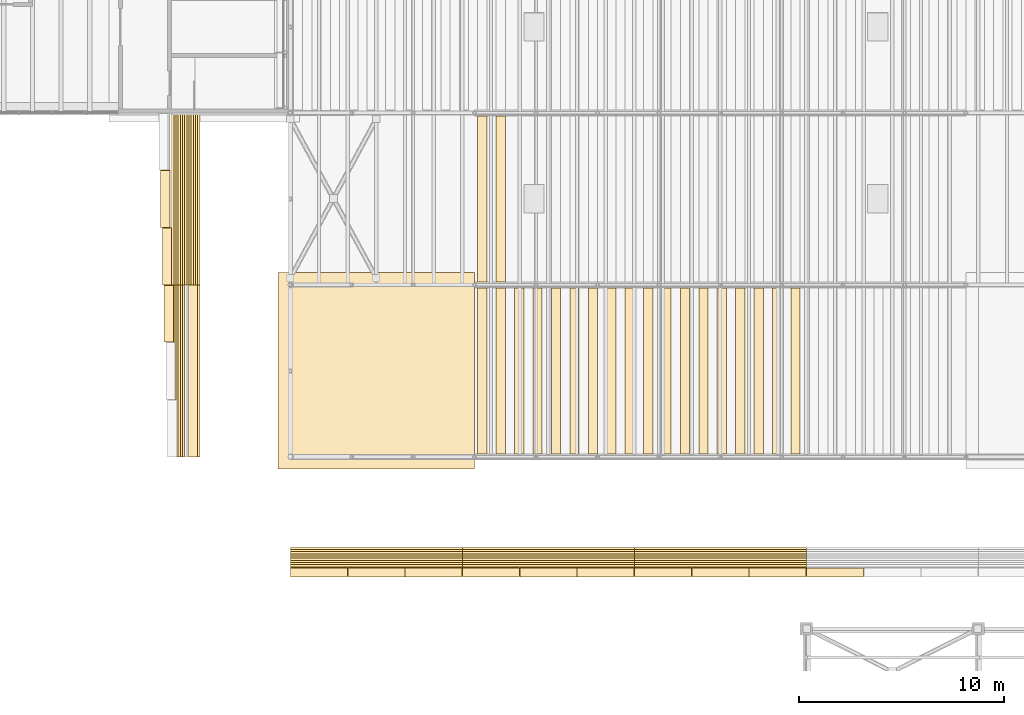
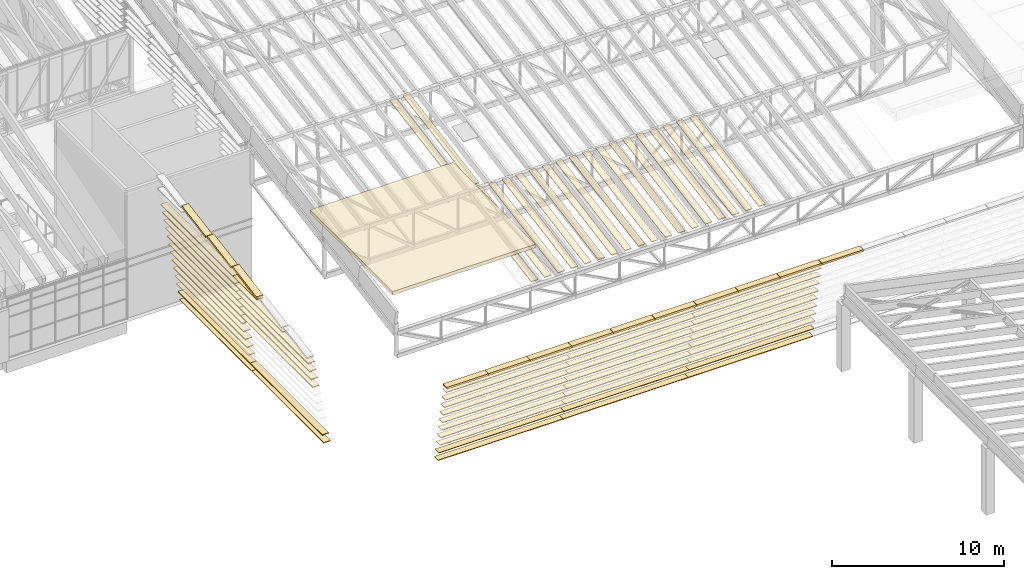
# One storey, part 75 of 91: 85 coverings.
"""IFC4 building model written with IfcOpenShell, lengths in metres."""

from ifc_helpers import new_model, si_unit, direction, frame, origin, origin_2d, place, context, subcontext, project, spatial, polyline, rectangle, outline, extrude, material, layer, layer_set, material_profile, profile_set, type_object, element, save


model = new_model("IFC4")

# Units and contexts
model_context = context("Model", 3, precision=1e-05, world=origin(), true_north=direction((0.0, 1.0)))
body_context = subcontext(model_context, "Body", "Model", "MODEL_VIEW")
ifc_project = project(units=[si_unit("LENGTHUNIT", "METRE"), si_unit("AREAUNIT", "SQUARE_METRE"), si_unit("VOLUMEUNIT", "CUBIC_METRE"), si_unit("PLANEANGLEUNIT", "RADIAN"), si_unit("MASSUNIT", "GRAM", prefix="KILO")], contexts=[model_context])

# Site, building, storey
site_placement = place(None, origin())
site = spatial("IfcSite", under=ifc_project, at=site_placement, CompositionType="ELEMENT")
building_placement = place(site_placement, origin())
building = spatial("IfcBuilding", under=site, at=building_placement, Name="Almond Square Museum", CompositionType="ELEMENT")
storey_placement = place(building_placement, frame((0.0, 0.0, 30.0)))
storey = spatial("IfcBuildingStorey", under=building, at=storey_placement, Name="L05", CompositionType="ELEMENT", Elevation=30.0)

# Coverings
ifc_material_1 = material(Name="Cedar timber roof board", Category="wood")
ifc_layer_1 = layer(ifc_material_1, 0.0400390625)
ifc_layer_set_1 = layer_set([ifc_layer_1], Name="Cedar timber roof board")
covering_type_1 = type_object("IfcCoveringType", Name="Hall roof board 450 x 40", PredefinedType="CLADDING", material=ifc_layer_set_1)
for number, where, z_axis, x_axis, name in (
    (1, (116.39990234375, 58.64990234375, 7.943603515625), (0.0, -0.17238105195, 0.985030341121), (-1.0, 0.0, 0.0), "Hall roof board"),
    (2, (117.300048828125, 58.64990234375, 7.943603515625), (0.0, -0.17238105195, 0.985030341121), (-1.0, 0.0, 0.0), "Hall roof board"),
):
    element("IfcCovering", number, at=place(storey_placement, frame(where, z_axis=z_axis, x_axis=x_axis)), inside=storey, type_object=covering_type_1, Name=name, PredefinedType="CLADDING", context=body_context, shape_type="SweptSolid", body=[
        extrude(outline(polyline([(0.0, 0.0), (0.449951171875, 0.0), (0.449951171875, 8.22294824584652), (0.0, 8.22294824584652), (0.0, 0.0)])), origin(), (0.0, 0.0, 1.0), 0.0400390625),
    ])
covering_1_placement = place(storey_placement, frame((118.199951171875, 58.64990234375, 7.943603515625), z_axis=(-0.000267236252, -0.172366641786, 0.985032826552), x_axis=(-0.999999964292, 4.6062617e-05, -0.000263236491)))
element("IfcCovering", 3, at=covering_1_placement, inside=storey, type_object=covering_type_1, Name="Hall roof board", PredefinedType="CLADDING", context=body_context, shape_type="SweptSolid", body=[
    extrude(outline(polyline([(0.0, 0.0), (0.44995115580832, -6.09797547574092e-21), (0.44995118794168065, 8.22294824496737), (-3.213336065825299e-08, 8.222906163266213), (0.0, 0.0)])), origin(), (0.0, 0.0, 1.0), 0.0400390625),
])
covering_2_placement = place(storey_placement, frame((119.10009765625, 58.64990234375, 7.943603515625), z_axis=(0.0, -0.172352243822, 0.985035382131), x_axis=(-1.0, 0.0, 0.0)))
element("IfcCovering", 4, at=covering_2_placement, inside=storey, type_object=covering_type_1, Name="Hall roof board", PredefinedType="CLADDING", context=body_context, shape_type="SweptSolid", body=[
    extrude(outline(polyline([(0.0, 0.0), (0.4501953125, 0.0), (0.4501953125, 8.22290616414537), (0.0, 8.22290616414537), (0.0, 0.0)])), origin(), (0.0, 0.0, 1.0), 0.0400390625),
])
for number, where, z_axis, x_axis, name in (
    (5, (120.0, 58.64990234375, 7.943603515625), (0.0, -0.172352243822, 0.985035382131), (-1.0, 0.0, 0.0), "Hall roof board"),
    (6, (120.89990234375, 58.64990234375, 7.943603515625), (0.0, -0.172352243822, 0.985035382131), (-1.0, 0.0, 0.0), "Hall roof board"),
    (7, (121.800048828125, 58.64990234375, 7.943603515625), (0.0, -0.172352243822, 0.985035382131), (-1.0, 0.0, 0.0), "Hall roof board"),
    (8, (122.699951171875, 58.64990234375, 7.943603515625), (0.0, -0.172352243822, 0.985035382131), (-1.0, 0.0, 0.0), "Hall roof board"),
):
    element("IfcCovering", number, at=place(storey_placement, frame(where, z_axis=z_axis, x_axis=x_axis)), inside=storey, type_object=covering_type_1, Name=name, PredefinedType="CLADDING", context=body_context, shape_type="SweptSolid", body=[
        extrude(outline(polyline([(0.0, 0.0), (0.449951171875, 0.0), (0.449951171875, 8.222906164145368), (0.0, 8.222906164145368), (0.0, 0.0)])), origin(), (0.0, 0.0, 1.0), 0.0400390625),
    ])
covering_3_placement = place(storey_placement, frame((123.60009765625, 58.64990234375, 7.943603515625), z_axis=(0.0, -0.172352243822, 0.985035382131), x_axis=(-1.0, 0.0, 0.0)))
element("IfcCovering", 9, at=covering_3_placement, inside=storey, type_object=covering_type_1, Name="Hall roof board", PredefinedType="CLADDING", context=body_context, shape_type="SweptSolid", body=[
    extrude(outline(polyline([(0.0, 0.0), (0.4501953125, 0.0), (0.4501953125, 8.22290616414537), (0.0, 8.22290616414537), (0.0, 0.0)])), origin(), (0.0, 0.0, 1.0), 0.0400390625),
])
for number, where, z_axis, x_axis, name in (
    (10, (124.5, 58.64990234375, 7.943603515625), (0.0, -0.172352243822, 0.985035382131), (-1.0, 0.0, 0.0), "Hall roof board"),
    (11, (125.39990234375, 58.64990234375, 7.943603515625), (0.0, -0.172352243822, 0.985035382131), (-1.0, 0.0, 0.0), "Hall roof board"),
    (12, (126.300048828125, 58.64990234375, 7.943603515625), (0.0, -0.172352243822, 0.985035382131), (-1.0, 0.0, 0.0), "Hall roof board"),
    (13, (127.199951171875, 58.64990234375, 7.943603515625), (0.0, -0.172352243822, 0.985035382131), (-1.0, 0.0, 0.0), "Hall roof board"),
):
    element("IfcCovering", number, at=place(storey_placement, frame(where, z_axis=z_axis, x_axis=x_axis)), inside=storey, type_object=covering_type_1, Name=name, PredefinedType="CLADDING", context=body_context, shape_type="SweptSolid", body=[
        extrude(outline(polyline([(0.0, 0.0), (0.449951171875, 0.0), (0.449951171875, 8.222906164145368), (0.0, 8.222906164145368), (0.0, 0.0)])), origin(), (0.0, 0.0, 1.0), 0.0400390625),
    ])
covering_4_placement = place(storey_placement, frame((128.10009765625, 58.64990234375, 7.943603515625), z_axis=(0.0, -0.172352243822, 0.985035382131), x_axis=(-1.0, 0.0, 0.0)))
element("IfcCovering", 14, at=covering_4_placement, inside=storey, type_object=covering_type_1, Name="Hall roof board", PredefinedType="CLADDING", context=body_context, shape_type="SweptSolid", body=[
    extrude(outline(polyline([(0.0, 0.0), (0.4501953125, 0.0), (0.4501953125, 8.22290616414537), (0.0, 8.22290616414537), (0.0, 0.0)])), origin(), (0.0, 0.0, 1.0), 0.0400390625),
])
for number, where, z_axis, x_axis, name in (
    (15, (129.0, 58.64990234375, 7.943603515625), (0.0, -0.172352243822, 0.985035382131), (-1.0, 0.0, 0.0), "Hall roof board"),
    (16, (129.89990234375, 58.64990234375, 7.943603515625), (0.0, -0.172352243822, 0.985035382131), (-1.0, 0.0, 0.0), "Hall roof board"),
    (17, (130.800048828125, 58.64990234375, 7.943603515625), (0.0, -0.172352243822, 0.985035382131), (-1.0, 0.0, 0.0), "Hall roof board"),
    (18, (131.699951171875, 58.64990234375, 7.943603515625), (0.0, -0.172352243822, 0.985035382131), (-1.0, 0.0, 0.0), "Hall roof board"),
):
    element("IfcCovering", number, at=place(storey_placement, frame(where, z_axis=z_axis, x_axis=x_axis)), inside=storey, type_object=covering_type_1, Name=name, PredefinedType="CLADDING", context=body_context, shape_type="SweptSolid", body=[
        extrude(outline(polyline([(0.0, 0.0), (0.449951171875, 0.0), (0.449951171875, 8.222906164145368), (0.0, 8.222906164145368), (0.0, 0.0)])), origin(), (0.0, 0.0, 1.0), 0.0400390625),
    ])
for number, where, z_axis, x_axis, name in (
    (19, (116.39990234375, 67.050048828125, 9.413818359375), (0.0, -0.172404817585, 0.985026181821), (-1.0, 0.0, 0.0), "Hall roof board"),
    (20, (117.300048828125, 67.050048828125, 9.413818359375), (0.0, -0.172404817585, 0.985026181821), (-1.0, 0.0, 0.0), "Hall roof board"),
):
    element("IfcCovering", number, at=place(storey_placement, frame(where, z_axis=z_axis, x_axis=x_axis)), inside=storey, type_object=covering_type_1, Name=name, PredefinedType="CLADDING", context=body_context, shape_type="SweptSolid", body=[
        extrude(outline(polyline([(0.0, 0.0), (0.449951171875, 0.0), (0.449951171875, 8.2232308193808), (0.0, 8.2232308193808), (0.0, 0.0)])), origin(), (0.0, 0.0, 1.0), 0.0400390625),
    ])
ifc_material_2 = material(Name="Timber deck and zinc standing seam", Category="wood")
ifc_layer_2 = layer(ifc_material_2, 0.25)
ifc_layer_set_2 = layer_set([ifc_layer_2], Name="Timber deck and zinc standing seam")
covering_type_2 = type_object("IfcCoveringType", Name="Head house cap, timber and zinc", PredefinedType="CLADDING", material=ifc_layer_set_2)
covering_5_placement = place(storey_placement, frame((111.0, 54.60009765625, 9.469970703125), z_axis=(0.0, 0.0, 1.0), x_axis=(1.0, 0.0, 0.0)))
element("IfcCovering", 21, at=covering_5_placement, inside=storey, type_object=covering_type_2, Name="Head house roof cap H1", PredefinedType="CLADDING", context=body_context, shape_type="SweptSolid", body=[
    extrude(rectangle(XDim=9.60009765625, YDim=9.60009765625, at=origin_2d()), origin(), (0.0, 0.0, 1.0), 0.25),
])
ifc_material_3 = material(Name="Cedar timber louvre board", Category="wood")
ifc_material_profile_1 = material_profile(ifc_material_3, rectangle(XDim=0.449951171875, YDim=0.050048828125, at=origin_2d()))
ifc_profile_set_1 = profile_set([ifc_material_profile_1], Name="Cedar timber louvre board")
covering_type_3 = type_object("IfcCoveringType", Name="Louvre board 450 x 50", PredefinedType="CLADDING", material=ifc_profile_set_1)
covering_6_placement = place(storey_placement, frame((106.800048828125, 45.755859375, 0.10009765625), z_axis=(1.0, 0.0, 0.0), x_axis=(0.0, 1.0, 0.0)))
element("IfcCovering", 22, at=covering_6_placement, inside=storey, type_object=covering_type_3, Name="Louvre board S39.01", PredefinedType="CLADDING", context=body_context, shape_type="SweptSolid", body=[
    extrude(rectangle(XDim=0.449951171875, YDim=0.050048828125, at=origin_2d()), origin(), (0.0, 0.0, 1.0), 8.39990234375),
])
covering_7_placement = place(storey_placement, frame((115.199951171875, 45.755859375, 0.10009765625), z_axis=(1.0, 0.0, 0.0), x_axis=(0.0, 1.0, 0.0)))
element("IfcCovering", 23, at=covering_7_placement, inside=storey, type_object=covering_type_3, Name="Louvre board S39.02", PredefinedType="CLADDING", context=body_context, shape_type="SweptSolid", body=[
    extrude(rectangle(XDim=0.449951171875, YDim=0.050048828125, at=origin_2d()), origin(), (0.0, 0.0, 1.0), 8.400146484375),
])
for number, where, z_axis, x_axis, name in (
    (24, (123.60009765625, 45.755859375, 0.10009765625), (1.0, 0.0, 0.0), (0.0, 1.0, 0.0), "Louvre board S39.03"),
    (25, (106.800048828125, 45.650146484375, 0.699951171875), (1.0, 0.0, 0.0), (0.0, 1.0, 0.0), "Louvre board S40.01"),
):
    element("IfcCovering", number, at=place(storey_placement, frame(where, z_axis=z_axis, x_axis=x_axis)), inside=storey, type_object=covering_type_3, Name=name, PredefinedType="CLADDING", context=body_context, shape_type="SweptSolid", body=[
        extrude(rectangle(XDim=0.449951171875, YDim=0.050048828125, at=origin_2d()), origin(), (0.0, 0.0, 1.0), 8.39990234375),
    ])
covering_8_placement = place(storey_placement, frame((115.199951171875, 45.650146484375, 0.699951171875), z_axis=(1.0, 0.0, 0.0), x_axis=(0.0, 1.0, 0.0)))
element("IfcCovering", 26, at=covering_8_placement, inside=storey, type_object=covering_type_3, Name="Louvre board S40.02", PredefinedType="CLADDING", context=body_context, shape_type="SweptSolid", body=[
    extrude(rectangle(XDim=0.449951171875, YDim=0.050048828125, at=origin_2d()), origin(), (0.0, 0.0, 1.0), 8.400146484375),
])
for number, where, z_axis, x_axis, name in (
    (27, (123.60009765625, 45.650146484375, 0.699951171875), (1.0, 0.0, 0.0), (0.0, 1.0, 0.0), "Louvre board S40.03"),
    (28, (106.800048828125, 45.54443359375, 1.300048828125), (1.0, 0.0, 0.0), (0.0, 1.0, 0.0), "Louvre board S41.01"),
):
    element("IfcCovering", number, at=place(storey_placement, frame(where, z_axis=z_axis, x_axis=x_axis)), inside=storey, type_object=covering_type_3, Name=name, PredefinedType="CLADDING", context=body_context, shape_type="SweptSolid", body=[
        extrude(rectangle(XDim=0.449951171875, YDim=0.050048828125, at=origin_2d()), origin(), (0.0, 0.0, 1.0), 8.39990234375),
    ])
covering_9_placement = place(storey_placement, frame((115.199951171875, 45.54443359375, 1.300048828125), z_axis=(1.0, 0.0, 0.0), x_axis=(0.0, 1.0, 0.0)))
element("IfcCovering", 29, at=covering_9_placement, inside=storey, type_object=covering_type_3, Name="Louvre board S41.02", PredefinedType="CLADDING", context=body_context, shape_type="SweptSolid", body=[
    extrude(rectangle(XDim=0.449951171875, YDim=0.050048828125, at=origin_2d()), origin(), (0.0, 0.0, 1.0), 8.400146484375),
])
for number, where, z_axis, x_axis, name in (
    (30, (123.60009765625, 45.54443359375, 1.300048828125), (1.0, 0.0, 0.0), (0.0, 1.0, 0.0), "Louvre board S41.03"),
    (31, (106.800048828125, 45.4384765625, 1.89990234375), (1.0, 0.0, 0.0), (0.0, 1.0, 0.0), "Louvre board S42.01"),
):
    element("IfcCovering", number, at=place(storey_placement, frame(where, z_axis=z_axis, x_axis=x_axis)), inside=storey, type_object=covering_type_3, Name=name, PredefinedType="CLADDING", context=body_context, shape_type="SweptSolid", body=[
        extrude(rectangle(XDim=0.449951171875, YDim=0.050048828125, at=origin_2d()), origin(), (0.0, 0.0, 1.0), 8.39990234375),
    ])
covering_10_placement = place(storey_placement, frame((115.199951171875, 45.4384765625, 1.89990234375), z_axis=(1.0, 0.0, 0.0), x_axis=(0.0, 1.0, 0.0)))
element("IfcCovering", 32, at=covering_10_placement, inside=storey, type_object=covering_type_3, Name="Louvre board S42.02", PredefinedType="CLADDING", context=body_context, shape_type="SweptSolid", body=[
    extrude(rectangle(XDim=0.449951171875, YDim=0.050048828125, at=origin_2d()), origin(), (0.0, 0.0, 1.0), 8.400146484375),
])
for number, where, z_axis, x_axis, name in (
    (33, (123.60009765625, 45.4384765625, 1.89990234375), (1.0, 0.0, 0.0), (0.0, 1.0, 0.0), "Louvre board S42.03"),
    (34, (106.800048828125, 45.332763671875, 2.5), (1.0, 0.0, 0.0), (0.0, 1.0, 0.0), "Louvre board S43.01"),
):
    element("IfcCovering", number, at=place(storey_placement, frame(where, z_axis=z_axis, x_axis=x_axis)), inside=storey, type_object=covering_type_3, Name=name, PredefinedType="CLADDING", context=body_context, shape_type="SweptSolid", body=[
        extrude(rectangle(XDim=0.449951171875, YDim=0.050048828125, at=origin_2d()), origin(), (0.0, 0.0, 1.0), 8.39990234375),
    ])
covering_11_placement = place(storey_placement, frame((115.199951171875, 45.332763671875, 2.5), z_axis=(1.0, 0.0, 0.0), x_axis=(0.0, 1.0, 0.0)))
element("IfcCovering", 35, at=covering_11_placement, inside=storey, type_object=covering_type_3, Name="Louvre board S43.02", PredefinedType="CLADDING", context=body_context, shape_type="SweptSolid", body=[
    extrude(rectangle(XDim=0.449951171875, YDim=0.050048828125, at=origin_2d()), origin(), (0.0, 0.0, 1.0), 8.400146484375),
])
for number, where, z_axis, x_axis, name in (
    (36, (123.60009765625, 45.332763671875, 2.5), (1.0, 0.0, 0.0), (0.0, 1.0, 0.0), "Louvre board S43.03"),
    (37, (106.800048828125, 45.226806640625, 3.10009765625), (1.0, 0.0, 0.0), (0.0, 1.0, 0.0), "Louvre board S44.01"),
):
    element("IfcCovering", number, at=place(storey_placement, frame(where, z_axis=z_axis, x_axis=x_axis)), inside=storey, type_object=covering_type_3, Name=name, PredefinedType="CLADDING", context=body_context, shape_type="SweptSolid", body=[
        extrude(rectangle(XDim=0.449951171875, YDim=0.050048828125, at=origin_2d()), origin(), (0.0, 0.0, 1.0), 8.39990234375),
    ])
covering_12_placement = place(storey_placement, frame((115.199951171875, 45.226806640625, 3.10009765625), z_axis=(1.0, 0.0, 0.0), x_axis=(0.0, 1.0, 0.0)))
element("IfcCovering", 38, at=covering_12_placement, inside=storey, type_object=covering_type_3, Name="Louvre board S44.02", PredefinedType="CLADDING", context=body_context, shape_type="SweptSolid", body=[
    extrude(rectangle(XDim=0.449951171875, YDim=0.050048828125, at=origin_2d()), origin(), (0.0, 0.0, 1.0), 8.400146484375),
])
for number, where, z_axis, x_axis, name in (
    (39, (123.60009765625, 45.226806640625, 3.10009765625), (1.0, 0.0, 0.0), (0.0, 1.0, 0.0), "Louvre board S44.03"),
    (40, (106.800048828125, 45.12109375, 3.699951171875), (1.0, 0.0, 0.0), (0.0, 1.0, 0.0), "Louvre board S45.01"),
):
    element("IfcCovering", number, at=place(storey_placement, frame(where, z_axis=z_axis, x_axis=x_axis)), inside=storey, type_object=covering_type_3, Name=name, PredefinedType="CLADDING", context=body_context, shape_type="SweptSolid", body=[
        extrude(rectangle(XDim=0.449951171875, YDim=0.050048828125, at=origin_2d()), origin(), (0.0, 0.0, 1.0), 8.39990234375),
    ])
covering_13_placement = place(storey_placement, frame((115.199951171875, 45.12109375, 3.699951171875), z_axis=(1.0, 0.0, 0.0), x_axis=(0.0, 1.0, 0.0)))
element("IfcCovering", 41, at=covering_13_placement, inside=storey, type_object=covering_type_3, Name="Louvre board S45.02", PredefinedType="CLADDING", context=body_context, shape_type="SweptSolid", body=[
    extrude(rectangle(XDim=0.449951171875, YDim=0.050048828125, at=origin_2d()), origin(), (0.0, 0.0, 1.0), 8.400146484375),
])
for number, where, z_axis, x_axis, name in (
    (42, (123.60009765625, 45.12109375, 3.699951171875), (1.0, 0.0, 0.0), (0.0, 1.0, 0.0), "Louvre board S45.03"),
    (43, (106.800048828125, 45.015380859375, 4.300048828125), (1.0, 0.0, 0.0), (0.0, 1.0, 0.0), "Louvre board S46.01"),
):
    element("IfcCovering", number, at=place(storey_placement, frame(where, z_axis=z_axis, x_axis=x_axis)), inside=storey, type_object=covering_type_3, Name=name, PredefinedType="CLADDING", context=body_context, shape_type="SweptSolid", body=[
        extrude(rectangle(XDim=0.449951171875, YDim=0.050048828125, at=origin_2d()), origin(), (0.0, 0.0, 1.0), 8.39990234375),
    ])
covering_14_placement = place(storey_placement, frame((115.199951171875, 45.015380859375, 4.300048828125), z_axis=(1.0, 0.0, 0.0), x_axis=(0.0, 1.0, 0.0)))
element("IfcCovering", 44, at=covering_14_placement, inside=storey, type_object=covering_type_3, Name="Louvre board S46.02", PredefinedType="CLADDING", context=body_context, shape_type="SweptSolid", body=[
    extrude(rectangle(XDim=0.449951171875, YDim=0.050048828125, at=origin_2d()), origin(), (0.0, 0.0, 1.0), 8.400146484375),
])
for number, where, z_axis, x_axis, name in (
    (45, (123.60009765625, 45.015380859375, 4.300048828125), (1.0, 0.0, 0.0), (0.0, 1.0, 0.0), "Louvre board S46.03"),
    (46, (106.800048828125, 44.909423828125, 4.89990234375), (1.0, 0.0, 0.0), (0.0, 1.0, 0.0), "Louvre board S47.01"),
):
    element("IfcCovering", number, at=place(storey_placement, frame(where, z_axis=z_axis, x_axis=x_axis)), inside=storey, type_object=covering_type_3, Name=name, PredefinedType="CLADDING", context=body_context, shape_type="SweptSolid", body=[
        extrude(rectangle(XDim=0.449951171875, YDim=0.050048828125, at=origin_2d()), origin(), (0.0, 0.0, 1.0), 8.39990234375),
    ])
covering_15_placement = place(storey_placement, frame((115.199951171875, 44.909423828125, 4.89990234375), z_axis=(1.0, 0.0, 0.0), x_axis=(0.0, 1.0, 0.0)))
element("IfcCovering", 47, at=covering_15_placement, inside=storey, type_object=covering_type_3, Name="Louvre board S47.02", PredefinedType="CLADDING", context=body_context, shape_type="SweptSolid", body=[
    extrude(rectangle(XDim=0.449951171875, YDim=0.050048828125, at=origin_2d()), origin(), (0.0, 0.0, 1.0), 8.400146484375),
])
for number, where, z_axis, x_axis, name in (
    (48, (123.60009765625, 44.909423828125, 4.89990234375), (1.0, 0.0, 0.0), (0.0, 1.0, 0.0), "Louvre board S47.03"),
    (49, (106.800048828125, 44.8037109375, 5.5), (1.0, 0.0, 0.0), (0.0, 1.0, 0.0), "Louvre board S48.01"),
):
    element("IfcCovering", number, at=place(storey_placement, frame(where, z_axis=z_axis, x_axis=x_axis)), inside=storey, type_object=covering_type_3, Name=name, PredefinedType="CLADDING", context=body_context, shape_type="SweptSolid", body=[
        extrude(rectangle(XDim=0.449951171875, YDim=0.050048828125, at=origin_2d()), origin(), (0.0, 0.0, 1.0), 8.39990234375),
    ])
covering_16_placement = place(storey_placement, frame((115.199951171875, 44.8037109375, 5.5), z_axis=(1.0, 0.0, 0.0), x_axis=(0.0, 1.0, 0.0)))
element("IfcCovering", 50, at=covering_16_placement, inside=storey, type_object=covering_type_3, Name="Louvre board S48.02", PredefinedType="CLADDING", context=body_context, shape_type="SweptSolid", body=[
    extrude(rectangle(XDim=0.449951171875, YDim=0.050048828125, at=origin_2d()), origin(), (0.0, 0.0, 1.0), 8.400146484375),
])
covering_17_placement = place(storey_placement, frame((123.60009765625, 44.8037109375, 5.5), z_axis=(1.0, 0.0, 0.0), x_axis=(0.0, 1.0, 0.0)))
element("IfcCovering", 51, at=covering_17_placement, inside=storey, type_object=covering_type_3, Name="Louvre board S48.03", PredefinedType="CLADDING", context=body_context, shape_type="SweptSolid", body=[
    extrude(rectangle(XDim=0.449951171875, YDim=0.050048828125, at=origin_2d()), origin(), (0.0, 0.0, 1.0), 8.39990234375),
])
covering_18_placement = place(storey_placement, frame((102.156005859375, 50.39990234375, 0.10009765625), z_axis=(0.0, 1.0, 0.0), x_axis=(-1.0, 0.0, 0.0)))
element("IfcCovering", 52, at=covering_18_placement, inside=storey, type_object=covering_type_3, Name="Louvre board W39.01", PredefinedType="CLADDING", context=body_context, shape_type="SweptSolid", body=[
    extrude(rectangle(XDim=0.449951171875, YDim=0.050048828125, at=origin_2d()), origin(), (0.0, 0.0, 1.0), 8.400146484375),
])
covering_19_placement = place(storey_placement, frame((102.156005859375, 58.800048828125, 0.10009765625), z_axis=(0.0, 1.0, 0.0), x_axis=(-1.0, 0.0, 0.0)))
element("IfcCovering", 53, at=covering_19_placement, inside=storey, type_object=covering_type_3, Name="Louvre board W39.02", PredefinedType="CLADDING", context=body_context, shape_type="SweptSolid", body=[
    extrude(rectangle(XDim=0.449951171875, YDim=0.050048828125, at=origin_2d()), origin(), (0.0, 0.0, 1.0), 8.39990234375),
])
covering_20_placement = place(storey_placement, frame((102.050048828125, 50.39990234375, 0.699951171875), z_axis=(0.0, 1.0, 0.0), x_axis=(-1.0, 0.0, 0.0)))
element("IfcCovering", 54, at=covering_20_placement, inside=storey, type_object=covering_type_3, Name="Louvre board W40.01", PredefinedType="CLADDING", context=body_context, shape_type="SweptSolid", body=[
    extrude(rectangle(XDim=0.449951171875, YDim=0.050048828125, at=origin_2d()), origin(), (0.0, 0.0, 1.0), 8.400146484375),
])
for number, where, z_axis, x_axis, name in (
    (55, (102.050048828125, 58.800048828125, 0.699951171875), (0.0, 1.0, 0.0), (-1.0, 0.0, 0.0), "Louvre board W40.02"),
    (56, (101.9443359375, 58.800048828125, 1.300048828125), (0.0, 1.0, 0.0), (-1.0, 0.0, 0.0), "Louvre board W41.02"),
    (57, (101.838623046875, 58.800048828125, 1.89990234375), (0.0, 1.0, 0.0), (-1.0, 0.0, 0.0), "Louvre board W42.02"),
    (58, (101.732666015625, 58.800048828125, 2.5), (0.0, 1.0, 0.0), (-1.0, 0.0, 0.0), "Louvre board W43.02"),
    (59, (101.626953125, 58.800048828125, 3.10009765625), (0.0, 1.0, 0.0), (-1.0, 0.0, 0.0), "Louvre board W44.02"),
    (60, (101.521240234375, 58.800048828125, 3.699951171875), (0.0, 1.0, 0.0), (-1.0, 0.0, 0.0), "Louvre board W45.02"),
):
    element("IfcCovering", number, at=place(storey_placement, frame(where, z_axis=z_axis, x_axis=x_axis)), inside=storey, type_object=covering_type_3, Name=name, PredefinedType="CLADDING", context=body_context, shape_type="SweptSolid", body=[
        extrude(rectangle(XDim=0.449951171875, YDim=0.050048828125, at=origin_2d()), origin(), (0.0, 0.0, 1.0), 8.39990234375),
    ])
covering_21_placement = place(storey_placement, frame((101.415283203125, 50.39990234375, 4.300048828125), z_axis=(0.0, 1.0, 0.0), x_axis=(-1.0, 0.0, 0.0)))
element("IfcCovering", 61, at=covering_21_placement, inside=storey, type_object=covering_type_3, Name="Louvre board W46.01", PredefinedType="CLADDING", context=body_context, shape_type="SweptSolid", body=[
    extrude(rectangle(XDim=0.449951171875, YDim=0.050048828125, at=origin_2d()), origin(), (0.0, 0.0, 1.0), 8.400146484375),
])
covering_22_placement = place(storey_placement, frame((101.415283203125, 58.800048828125, 4.300048828125), z_axis=(0.0, 1.0, 0.0), x_axis=(-1.0, 0.0, 0.0)))
element("IfcCovering", 62, at=covering_22_placement, inside=storey, type_object=covering_type_3, Name="Louvre board W46.02", PredefinedType="CLADDING", context=body_context, shape_type="SweptSolid", body=[
    extrude(rectangle(XDim=0.449951171875, YDim=0.050048828125, at=origin_2d()), origin(), (0.0, 0.0, 1.0), 8.39990234375),
])
covering_23_placement = place(storey_placement, frame((101.3095703125, 50.39990234375, 4.89990234375), z_axis=(0.0, 1.0, 0.0), x_axis=(-1.0, 0.0, 0.0)))
element("IfcCovering", 63, at=covering_23_placement, inside=storey, type_object=covering_type_3, Name="Louvre board W47.01", PredefinedType="CLADDING", context=body_context, shape_type="SweptSolid", body=[
    extrude(rectangle(XDim=0.449951171875, YDim=0.050048828125, at=origin_2d()), origin(), (0.0, 0.0, 1.0), 8.400146484375),
])
covering_24_placement = place(storey_placement, frame((101.3095703125, 58.800048828125, 4.89990234375), z_axis=(0.0, 1.0, 0.0), x_axis=(-1.0, 0.0, 0.0)))
element("IfcCovering", 64, at=covering_24_placement, inside=storey, type_object=covering_type_3, Name="Louvre board W47.02", PredefinedType="CLADDING", context=body_context, shape_type="SweptSolid", body=[
    extrude(rectangle(XDim=0.449951171875, YDim=0.050048828125, at=origin_2d()), origin(), (0.0, 0.0, 1.0), 8.39990234375),
])
covering_25_placement = place(storey_placement, frame((101.203857421875, 50.39990234375, 5.5), z_axis=(0.0, 1.0, 0.0), x_axis=(-1.0, 0.0, 0.0)))
element("IfcCovering", 65, at=covering_25_placement, inside=storey, type_object=covering_type_3, Name="Louvre board W48.01", PredefinedType="CLADDING", context=body_context, shape_type="SweptSolid", body=[
    extrude(rectangle(XDim=0.449951171875, YDim=0.050048828125, at=origin_2d()), origin(), (0.0, 0.0, 1.0), 8.400146484375),
])
covering_26_placement = place(storey_placement, frame((101.203857421875, 58.800048828125, 5.5), z_axis=(0.0, 1.0, 0.0), x_axis=(-1.0, 0.0, 0.0)))
element("IfcCovering", 66, at=covering_26_placement, inside=storey, type_object=covering_type_3, Name="Louvre board W48.02", PredefinedType="CLADDING", context=body_context, shape_type="SweptSolid", body=[
    extrude(rectangle(XDim=0.449951171875, YDim=0.050048828125, at=origin_2d()), origin(), (0.0, 0.0, 1.0), 8.39990234375),
])
covering_27_placement = place(storey_placement, frame((101.097900390625, 50.39990234375, 6.10009765625), z_axis=(0.0, 1.0, 0.0), x_axis=(-1.0, 0.0, 0.0)))
element("IfcCovering", 67, at=covering_27_placement, inside=storey, type_object=covering_type_3, Name="Louvre board W49.01", PredefinedType="CLADDING", context=body_context, shape_type="SweptSolid", body=[
    extrude(rectangle(XDim=0.449951171875, YDim=0.050048828125, at=origin_2d()), origin(), (0.0, 0.0, 1.0), 8.400146484375),
])
covering_28_placement = place(storey_placement, frame((101.097900390625, 58.800048828125, 6.10009765625), z_axis=(0.0, 1.0, 0.0), x_axis=(-1.0, 0.0, 0.0)))
element("IfcCovering", 68, at=covering_28_placement, inside=storey, type_object=covering_type_3, Name="Louvre board W49.02", PredefinedType="CLADDING", context=body_context, shape_type="SweptSolid", body=[
    extrude(rectangle(XDim=0.449951171875, YDim=0.050048828125, at=origin_2d()), origin(), (0.0, 0.0, 1.0), 8.39990234375),
])
covering_29_placement = place(storey_placement, frame((100.9921875, 53.199951171875, 6.699951171875), z_axis=(0.0, 1.0, 0.0), x_axis=(-1.0, 0.0, 0.0)))
element("IfcCovering", 69, at=covering_29_placement, inside=storey, type_object=covering_type_3, Name="Louvre board W50.01", PredefinedType="CLADDING", context=body_context, shape_type="SweptSolid", body=[
    extrude(rectangle(XDim=0.449951171875, YDim=0.050048828125, at=origin_2d()), origin(), (0.0, 0.0, 1.0), 5.60009765625),
])
covering_30_placement = place(storey_placement, frame((100.9921875, 58.800048828125, 6.699951171875), z_axis=(0.0, 1.0, 0.0), x_axis=(-1.0, 0.0, 0.0)))
element("IfcCovering", 70, at=covering_30_placement, inside=storey, type_object=covering_type_3, Name="Louvre board W50.02", PredefinedType="CLADDING", context=body_context, shape_type="SweptSolid", body=[
    extrude(rectangle(XDim=0.449951171875, YDim=0.050048828125, at=origin_2d()), origin(), (0.0, 0.0, 1.0), 8.39990234375),
])
covering_31_placement = place(storey_placement, frame((100.886474609375, 56.0, 7.300048828125), z_axis=(0.0, 1.0, 0.0), x_axis=(-1.0, 0.0, 0.0)))
element("IfcCovering", 71, at=covering_31_placement, inside=storey, type_object=covering_type_3, Name="Louvre board W51.01", PredefinedType="CLADDING", context=body_context, shape_type="SweptSolid", body=[
    extrude(rectangle(XDim=0.449951171875, YDim=0.050048828125, at=origin_2d()), origin(), (0.0, 0.0, 1.0), 2.800048828125),
])
covering_32_placement = place(storey_placement, frame((100.886474609375, 58.800048828125, 7.300048828125), z_axis=(0.0, 1.0, 0.0), x_axis=(-1.0, 0.0, 0.0)))
element("IfcCovering", 72, at=covering_32_placement, inside=storey, type_object=covering_type_3, Name="Louvre board W51.02", PredefinedType="CLADDING", context=body_context, shape_type="SweptSolid", body=[
    extrude(rectangle(XDim=0.449951171875, YDim=0.050048828125, at=origin_2d()), origin(), (0.0, 0.0, 1.0), 8.39990234375),
])
ifc_material_4 = material(Name="Cedar timber louvre board", Category="wood")
ifc_material_profile_2 = material_profile(ifc_material_4, rectangle(XDim=0.449951171875, YDim=0.139892578125, at=origin_2d()))
ifc_profile_set_2 = profile_set([ifc_material_profile_2], Name="Cedar timber louvre board")
covering_type_4 = type_object("IfcCoveringType", Name="Louvre skin fascia 450 x 140", PredefinedType="CLADDING", material=ifc_profile_set_2)
covering_33_placement = place(storey_placement, frame((106.81005859375, 44.74560546875, 5.830078125), z_axis=(1.0, 0.0, 0.0), x_axis=(0.0, 1.0, 0.0)))
element("IfcCovering", 73, at=covering_33_placement, inside=storey, type_object=covering_type_4, Name="Louvre skin fascia S01", PredefinedType="CLADDING", context=body_context, shape_type="SweptSolid", body=[
    extrude(rectangle(XDim=0.449951171875, YDim=0.139892578125, at=origin_2d()), origin(), (0.0, 0.0, 1.0), 2.780029296875),
])
covering_34_placement = place(storey_placement, frame((109.610107421875, 44.74560546875, 5.830078125), z_axis=(1.0, 0.0, 0.0), x_axis=(0.0, 1.0, 0.0)))
element("IfcCovering", 74, at=covering_34_placement, inside=storey, type_object=covering_type_4, Name="Louvre skin fascia S02", PredefinedType="CLADDING", context=body_context, shape_type="SweptSolid", body=[
    extrude(rectangle(XDim=0.449951171875, YDim=0.139892578125, at=origin_2d()), origin(), (0.0, 0.0, 1.0), 2.77978515625),
])
for number, where, z_axis, x_axis, name in (
    (75, (112.409912109375, 44.74560546875, 5.830078125), (1.0, 0.0, 0.0), (0.0, 1.0, 0.0), "Louvre skin fascia S03"),
    (76, (115.2099609375, 44.74560546875, 5.830078125), (1.0, 0.0, 0.0), (0.0, 1.0, 0.0), "Louvre skin fascia S04"),
    (77, (118.010009765625, 44.74560546875, 5.830078125), (1.0, 0.0, 0.0), (0.0, 1.0, 0.0), "Louvre skin fascia S05"),
    (78, (120.81005859375, 44.74560546875, 5.830078125), (1.0, 0.0, 0.0), (0.0, 1.0, 0.0), "Louvre skin fascia S06"),
):
    element("IfcCovering", number, at=place(storey_placement, frame(where, z_axis=z_axis, x_axis=x_axis)), inside=storey, type_object=covering_type_4, Name=name, PredefinedType="CLADDING", context=body_context, shape_type="SweptSolid", body=[
        extrude(rectangle(XDim=0.449951171875, YDim=0.139892578125, at=origin_2d()), origin(), (0.0, 0.0, 1.0), 2.780029296875),
    ])
covering_35_placement = place(storey_placement, frame((123.610107421875, 44.74560546875, 5.830078125), z_axis=(1.0, 0.0, 0.0), x_axis=(0.0, 1.0, 0.0)))
element("IfcCovering", 79, at=covering_35_placement, inside=storey, type_object=covering_type_4, Name="Louvre skin fascia S07", PredefinedType="CLADDING", context=body_context, shape_type="SweptSolid", body=[
    extrude(rectangle(XDim=0.449951171875, YDim=0.139892578125, at=origin_2d()), origin(), (0.0, 0.0, 1.0), 2.77978515625),
])
for number, where, z_axis, x_axis, name in (
    (80, (126.409912109375, 44.74560546875, 5.830078125), (1.0, 0.0, 0.0), (0.0, 1.0, 0.0), "Louvre skin fascia S08"),
    (81, (129.2099609375, 44.74560546875, 5.830078125), (1.0, 0.0, 0.0), (0.0, 1.0, 0.0), "Louvre skin fascia S09"),
    (82, (132.010009765625, 44.74560546875, 5.830078125), (1.0, 0.0, 0.0), (0.0, 1.0, 0.0), "Louvre skin fascia S10"),
):
    element("IfcCovering", number, at=place(storey_placement, frame(where, z_axis=z_axis, x_axis=x_axis)), inside=storey, type_object=covering_type_4, Name=name, PredefinedType="CLADDING", context=body_context, shape_type="SweptSolid", body=[
        extrude(rectangle(XDim=0.449951171875, YDim=0.139892578125, at=origin_2d()), origin(), (0.0, 0.0, 1.0), 2.780029296875),
    ])
for number, where, z_axis, x_axis, name in (
    (83, (100.858154296875, 56.010009765625, 7.459716796875), (0.0, 0.984908689959, 0.173074759692), (-1.0, 0.0, 0.0), "Louvre skin fascia W03"),
    (84, (100.771728515625, 58.81005859375, 7.94970703125), (0.0, 0.984908689959, 0.173074759692), (-1.0, 0.0, 0.0), "Louvre skin fascia W04"),
):
    element("IfcCovering", number, at=place(storey_placement, frame(where, z_axis=z_axis, x_axis=x_axis)), inside=storey, type_object=covering_type_4, Name=name, PredefinedType="CLADDING", context=body_context, shape_type="SweptSolid", body=[
        extrude(rectangle(XDim=0.449951171875, YDim=0.139892578125, at=origin_2d()), origin(), (0.0, 0.0, 1.0), 2.822509765625),
    ])
covering_36_placement = place(storey_placement, frame((100.685302734375, 61.610107421875, 8.43994140625), z_axis=(0.0, 0.984920841863, 0.17300559316), x_axis=(-1.0, 0.0, 0.0)))
element("IfcCovering", 85, at=covering_36_placement, inside=storey, type_object=covering_type_4, Name="Louvre skin fascia W05", PredefinedType="CLADDING", context=body_context, shape_type="SweptSolid", body=[
    extrude(rectangle(XDim=0.449951171875, YDim=0.139892578125, at=origin_2d()), origin(), (0.0, 0.0, 1.0), 2.822265625),
])

save(model, "model.ifc")
